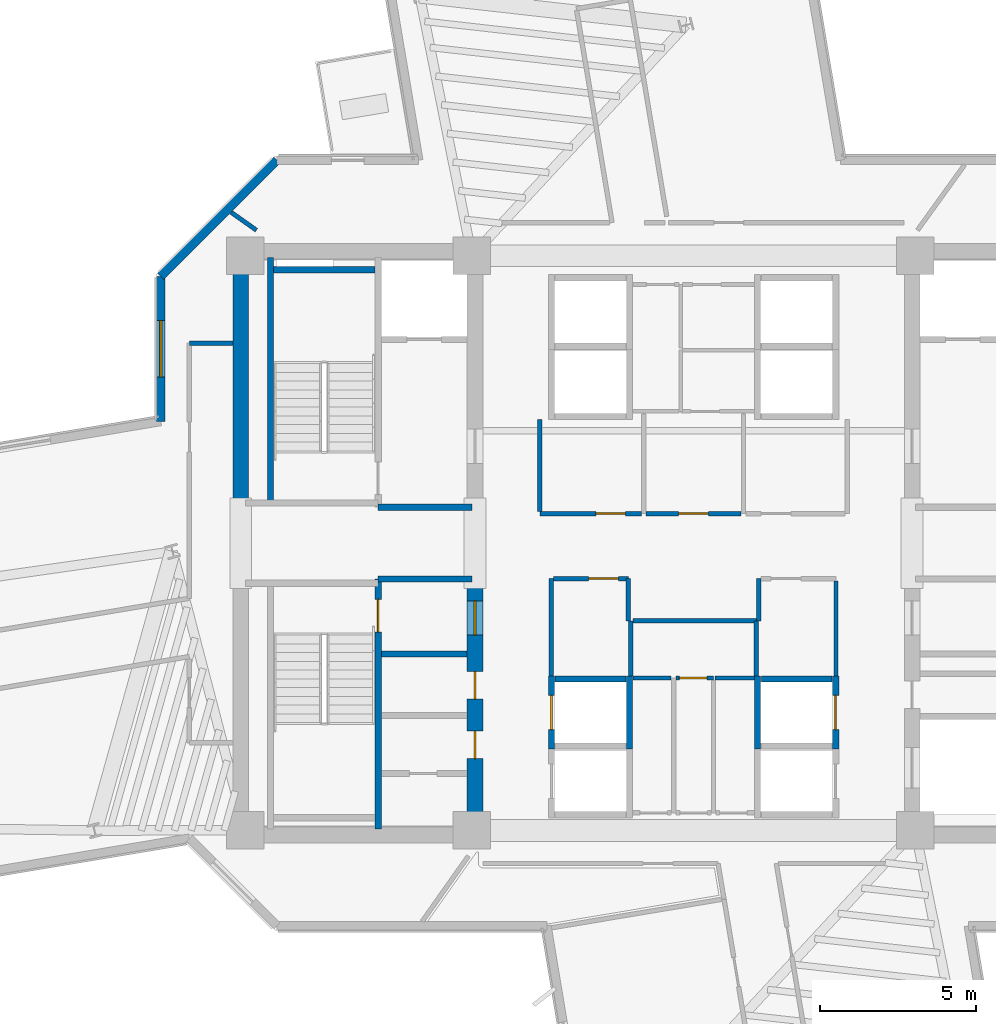
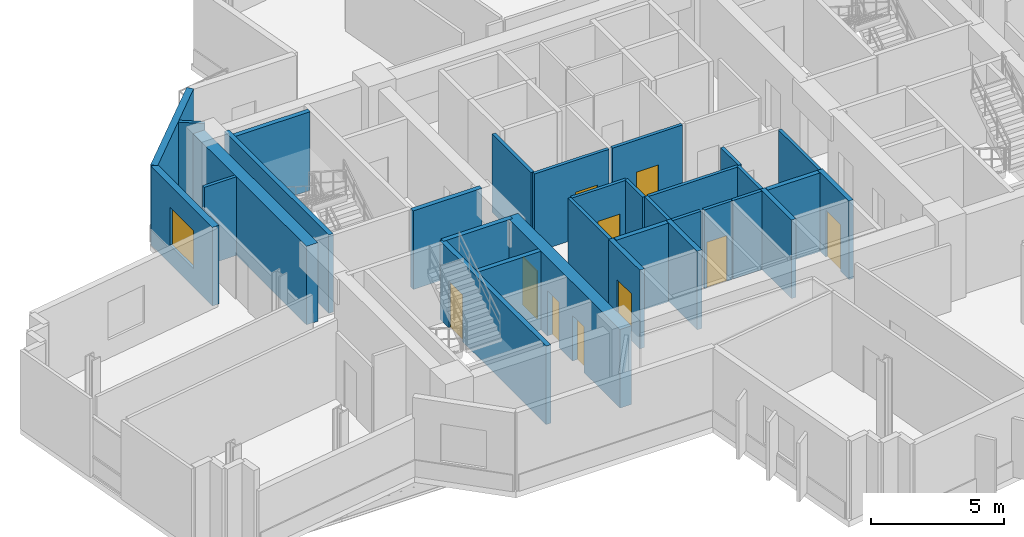
# One storey, part 8 of 15: 32 walls, 10 doors, 1 window, 11 openings.
"""IFC4 building model written with IfcOpenShell, lengths in metres."""

from ifc_helpers import new_model, si_unit, direction, frame, frame_2d, origin, place, context, subcontext, project, spatial, rectangle, extrude, source, transform, mapped, material, layer, layer_set, type_object, element, fill, save


model = new_model("IFC4")

# Units and contexts
model_context = context("Model", 3, precision=1e-05, world=origin(), true_north=direction((0.0, 1.0)))
body_context = subcontext(model_context, "Body", "Model", "MODEL_VIEW")
ifc_project = project(units=[si_unit("LENGTHUNIT", "METRE"), si_unit("AREAUNIT", "SQUARE_METRE"), si_unit("VOLUMEUNIT", "CUBIC_METRE"), si_unit("PLANEANGLEUNIT", "RADIAN"), si_unit("MASSUNIT", "GRAM", prefix="KILO")], contexts=[model_context])

# Site, building, storey
site_placement = place(None, origin())
site = spatial("IfcSite", under=ifc_project, at=site_placement, CompositionType="ELEMENT")
building_placement = place(site_placement, origin())
building = spatial("IfcBuilding", under=site, at=building_placement, Name="Zahravan Cultural Tower", CompositionType="ELEMENT")
storey_placement = place(building_placement, frame((0.0, 0.0, 139.5)))
storey = spatial("IfcBuildingStorey", under=building, at=storey_placement, Name="L31", CompositionType="ELEMENT", Elevation=139.5)

# Wall, openings, doors
ifc_material_1 = material(Name="Concrete C60/75", Category="concrete")
ifc_layer_1 = layer(ifc_material_1, 0.5)
ifc_layer_set_1 = layer_set([ifc_layer_1], Name="Concrete C60/75")
wall_type_1 = type_object("IfcWallType", Name="CW-SHEAR-500-C60", PredefinedType="SHEAR", material=ifc_layer_set_1)
wall_1_placement = place(storey_placement, frame((29.0, 17.39990234375, 0.0), z_axis=(0.0, 0.0, 1.0), x_axis=(0.0, 1.0, 0.0)))
wall_1 = element("IfcWall", 1, at=wall_1_placement, inside=storey, type_object=wall_type_1, Name="L31 Core Shear Wall CW-W-ES-L31", PredefinedType="SHEAR", context=body_context, shape_type="SweptSolid", body=[
    extrude(rectangle(XDim=8.550048828125, YDim=0.5, at=frame_2d((4.27490234375, 0.0))), origin(), (0.0, 0.0, 1.0), 3.6201171875),
])
opening_1_placement = place(wall_1_placement, frame((6.64990234375, 0.0, 0.0)))
opening_1 = element("IfcOpeningElement", 2, at=opening_1_placement, cuts=wall_1, Name="Opening D-L31-07", PredefinedType="OPENING", context=body_context, shape_type="SweptSolid", body=[
    extrude(rectangle(XDim=1.10009765625, YDim=2.199951171875, at=frame_2d((0.550048828125, 1.10009765625))), frame((0.0, 0.260009765625, 0.0), z_axis=(0.0, -1.0, 0.0), x_axis=(1.0, 0.0, 0.0)), (0.0, 0.0, 1.0), 0.52001953125),
])
opening_2_placement = place(wall_1_placement, frame((2.699951171875, 0.0, 0.0)))
opening_2 = element("IfcOpeningElement", 3, at=opening_2_placement, cuts=wall_1, Name="Opening D-L31-10", PredefinedType="OPENING", context=body_context, shape_type="SweptSolid", body=[
    extrude(rectangle(XDim=0.8798828125, YDim=2.10009765625, at=frame_2d((0.43994140625, 1.050048828125))), frame((0.0, 0.260009765625, 0.0), z_axis=(0.0, -1.0, 0.0), x_axis=(1.0, 0.0, 0.0)), (0.0, 0.0, 1.0), 0.52001953125),
])
opening_3_placement = place(wall_1_placement, frame((4.60009765625, 0.0, 0.0)))
opening_3 = element("IfcOpeningElement", 4, at=opening_3_placement, cuts=wall_1, Name="Opening D-L31-11", PredefinedType="OPENING", context=body_context, shape_type="SweptSolid", body=[
    extrude(rectangle(XDim=0.8798828125, YDim=2.10009765625, at=frame_2d((0.43994140625, 1.050048828125))), frame((0.0, 0.260009765625, 0.0), z_axis=(0.0, -1.0, 0.0), x_axis=(1.0, 0.0, 0.0)), (0.0, 0.0, 1.0), 0.52001953125),
])
ifc_material_2 = material(Name="Steel ASTM A572 Grade 50", Category="steel")
door_type_1 = type_object("IfcDoorType", Name="DR-LOBBY-1100", OperationType="NOTDEFINED", PredefinedType="DOOR", material=ifc_material_2)
shared_shape_1 = source(origin(), body_context, "Body", "SweptSolid", [
    extrude(rectangle(XDim=1.10009765625, YDim=2.199951171875, at=frame_2d((0.550048828125, 1.10009765625))), frame((0.0, 0.02490234375, 0.0), z_axis=(0.0, -1.0, 0.0), x_axis=(1.0, 0.0, 0.0)), (0.0, 0.0, 1.0), 0.050048828125),
])
door_1_placement = place(opening_1_placement, origin())
door_1 = element("IfcDoor", 5, at=door_1_placement, inside=storey, type_object=door_type_1, Name="L31 Door D-L31-07", OperationType="SINGLE_SWING_LEFT", OverallHeight=2.199951171875, OverallWidth=1.10009765625, PredefinedType="DOOR", context=body_context, shape_type="MappedRepresentation", body=[
    mapped(shared_shape_1, transform((0.0, 0.0, 0.0), x_axis=(1.0, 0.0, 0.0), y_axis=(0.0, 1.0, 0.0), z_axis=(0.0, 0.0, 1.0), scale=1.0)),
])
fill(opening_1, door_1)
door_type_2 = type_object("IfcDoorType", Name="DR-SVC-880", OperationType="NOTDEFINED", PredefinedType="DOOR", material=ifc_material_2)
shared_shape_2 = source(origin(), body_context, "Body", "SweptSolid", [
    extrude(rectangle(XDim=0.8798828125, YDim=2.10009765625, at=frame_2d((0.43994140625, 1.050048828125))), frame((0.0, 0.02490234375, 0.0), z_axis=(0.0, -1.0, 0.0), x_axis=(1.0, 0.0, 0.0)), (0.0, 0.0, 1.0), 0.050048828125),
])
door_2_placement = place(opening_2_placement, origin())
door_2 = element("IfcDoor", 6, at=door_2_placement, inside=storey, type_object=door_type_2, Name="L31 Door D-L31-10", OperationType="SINGLE_SWING_RIGHT", OverallHeight=2.10009765625, OverallWidth=0.8798828125, PredefinedType="DOOR", context=body_context, shape_type="MappedRepresentation", body=[
    mapped(shared_shape_2, transform((0.0, 0.0, 0.0), x_axis=(1.0, 0.0, 0.0), y_axis=(0.0, 1.0, 0.0), z_axis=(0.0, 0.0, 1.0), scale=1.0)),
])
fill(opening_2, door_2)
door_3_placement = place(opening_3_placement, origin())
door_3 = element("IfcDoor", 7, at=door_3_placement, inside=storey, type_object=door_type_2, Name="L31 Door D-L31-11", OperationType="SINGLE_SWING_LEFT", OverallHeight=2.10009765625, OverallWidth=0.8798828125, PredefinedType="DOOR", context=body_context, shape_type="MappedRepresentation", body=[
    mapped(shared_shape_2, transform((0.0, 0.0, 0.0), x_axis=(1.0, 0.0, 0.0), y_axis=(0.0, 1.0, 0.0), z_axis=(0.0, 0.0, 1.0), scale=1.0)),
])
fill(opening_3, door_3)

# Wall, opening, window
ifc_material_3 = material(Name="Precast concrete C40/50", Category="concrete")
ifc_layer_2 = layer(ifc_material_3, 0.280029296875)
ifc_layer_set_2 = layer_set([ifc_layer_2], Name="Precast concrete C40/50")
wall_type_2 = type_object("IfcWallType", Name="EW-TC-280", PredefinedType="SOLIDWALL", material=ifc_layer_set_2)
wall_2_placement = place(storey_placement, frame((18.93994140625, 30.897705078125, 0.0), z_axis=(0.0, 0.0, 1.0), x_axis=(0.0, 1.0, 0.0)))
wall_2 = element("IfcWall", 8, at=wall_2_placement, inside=storey, type_object=wall_type_2, Name="L31 Exterior Masonry Frame Wall 37", PredefinedType="SOLIDWALL", context=body_context, shape_type="SweptSolid", body=[
    extrude(rectangle(XDim=4.644287109375, YDim=0.280029296875, at=frame_2d((2.322265625, 0.0))), origin(), (0.0, 0.0, 1.0), 3.6201171875),
])
opening_4_placement = place(wall_2_placement, frame((1.422119140625, 0.0, 0.85009765625)))
opening_4 = element("IfcOpeningElement", 9, at=opening_4_placement, cuts=wall_2, Name="Opening WN-02", PredefinedType="OPENING", context=body_context, shape_type="SweptSolid", body=[
    extrude(rectangle(XDim=1.800048828125, YDim=1.75, at=frame_2d((0.89990234375, 0.875))), frame((0.0, 0.14990234375, 0.0), z_axis=(0.0, -1.0, 0.0), x_axis=(1.0, 0.0, 0.0)), (0.0, 0.0, 1.0), 0.300048828125),
])
ifc_material_4 = material(Name="Low-E solar-control double glazing", Category="glass")
window_type = type_object("IfcWindowType", Name="WN-REC-1800X1750", PartitioningType="DOUBLE_PANEL_VERTICAL", PredefinedType="WINDOW", material=ifc_material_4)
shared_shape_3 = source(origin(), body_context, "Body", "SweptSolid", [
    extrude(rectangle(XDim=1.800048828125, YDim=1.75, at=frame_2d((0.89990234375, 0.875))), frame((0.0, 0.030029296875, 0.0), z_axis=(0.0, -1.0, 0.0), x_axis=(1.0, 0.0, 0.0)), (0.0, 0.0, 1.0), 0.06005859375),
])
window_placement = place(opening_4_placement, origin())
window = element("IfcWindow", 10, at=window_placement, inside=storey, type_object=window_type, Name="L31 Recessed Solar Window 08", OverallHeight=1.75, OverallWidth=1.800048828125, PartitioningType="DOUBLE_PANEL_VERTICAL", PredefinedType="WINDOW", context=body_context, shape_type="MappedRepresentation", body=[
    mapped(shared_shape_3, transform((0.0, 0.0, 0.0), x_axis=(1.0, 0.0, 0.0), y_axis=(0.0, 1.0, 0.0), z_axis=(0.0, 0.0, 1.0), scale=1.0)),
])
fill(opening_4, window)

# Wall, opening, door
ifc_material_5 = material(Name="Gypsum plasterboard partition")
ifc_layer_3 = layer(ifc_material_5, 0.139892578125)
ifc_layer_set_3 = layer_set([ifc_layer_3], Name="Gypsum plasterboard partition")
wall_type_3 = type_object("IfcWallType", Name="W-PART-140", PredefinedType="PARTITIONING", material=ifc_layer_set_3)
wall_3_placement = place(storey_placement, frame((35.43505859375, 22.679931640625, 0.0), z_axis=(0.0, 0.0, 1.0), x_axis=(1.0, 0.0, 0.0)))
wall_3 = element("IfcWall", 11, at=wall_3_placement, inside=storey, type_object=wall_type_3, Name="L31 Interior Wall 063", PredefinedType="PARTITIONING", context=body_context, shape_type="SweptSolid", body=[
    extrude(rectangle(XDim=1.204833984375, YDim=0.139892578125, at=frame_2d((0.6025390625, 0.0))), origin(), (0.0, 0.0, 1.0), 3.6201171875),
])
opening_5_placement = place(wall_3_placement, frame((0.11376953125, 0.0, 0.0)))
opening_5 = element("IfcOpeningElement", 12, at=opening_5_placement, cuts=wall_3, Name="Opening D-L31-30", PredefinedType="OPENING", context=body_context, shape_type="SweptSolid", body=[
    extrude(rectangle(XDim=0.8798828125, YDim=2.10009765625, at=frame_2d((0.43994140625, 1.050048828125))), frame((0.0, 0.079833984375, 0.0), z_axis=(0.0, -1.0, 0.0), x_axis=(1.0, 0.0, 0.0)), (0.0, 0.0, 1.0), 0.159912109375),
])
ifc_material_6 = material(Name="Anodised bronze-aluminium mullion", Category="aluminium")
door_type_3 = type_object("IfcDoorType", Name="DR-ROOM-880", OperationType="NOTDEFINED", PredefinedType="DOOR", material=ifc_material_6)
door_4_placement = place(opening_5_placement, origin())
door_4 = element("IfcDoor", 13, at=door_4_placement, inside=storey, type_object=door_type_3, Name="L31 Door D-L31-30", OperationType="SINGLE_SWING_RIGHT", OverallHeight=2.10009765625, OverallWidth=0.8798828125, PredefinedType="DOOR", context=body_context, shape_type="MappedRepresentation", body=[
    mapped(shared_shape_2, transform((0.0, 0.0, 0.0), x_axis=(1.0, 0.0, 0.0), y_axis=(0.0, 1.0, 0.0), z_axis=(0.0, 0.0, 1.0), scale=1.0)),
])
fill(opening_5, door_4)

wall_4_placement = place(storey_placement, frame((31.514892578125, 25.860107421875, 0.0), z_axis=(0.0, 0.0, 1.0), x_axis=(1.0, 0.0, 0.0)))
wall_4 = element("IfcWall", 14, at=wall_4_placement, inside=storey, type_object=wall_type_3, Name="L31 Interior Wall 076", PredefinedType="PARTITIONING", context=body_context, shape_type="SweptSolid", body=[
    extrude(rectangle(XDim=2.39501953125, YDim=0.139892578125, at=frame_2d((1.197509765625, 0.0))), origin(), (0.0, 0.0, 1.0), 3.6201171875),
])
opening_6_placement = place(wall_4_placement, frame((1.127197265625, 0.0, 0.0)))
opening_6 = element("IfcOpeningElement", 15, at=opening_6_placement, cuts=wall_4, Name="Opening D-L31-13", PredefinedType="OPENING", context=body_context, shape_type="SweptSolid", body=[
    extrude(rectangle(XDim=0.949951171875, YDim=2.14990234375, at=frame_2d((0.47509765625, 1.074951171875))), frame((0.0, 0.079833984375, 0.0), z_axis=(0.0, -1.0, 0.0), x_axis=(1.0, 0.0, 0.0)), (0.0, 0.0, 1.0), 0.159912109375),
])
door_type_4 = type_object("IfcDoorType", Name="DR-ROOM-950", OperationType="NOTDEFINED", PredefinedType="DOOR", material=ifc_material_6)
shared_shape_4 = source(origin(), body_context, "Body", "SweptSolid", [
    extrude(rectangle(XDim=0.949951171875, YDim=2.14990234375, at=frame_2d((0.47509765625, 1.074951171875))), frame((0.0, 0.02490234375, 0.0), z_axis=(0.0, -1.0, 0.0), x_axis=(1.0, 0.0, 0.0)), (0.0, 0.0, 1.0), 0.050048828125),
])
door_5_placement = place(opening_6_placement, origin())
door_5 = element("IfcDoor", 16, at=door_5_placement, inside=storey, type_object=door_type_4, Name="L31 Door D-L31-13", OperationType="SINGLE_SWING_LEFT", OverallHeight=2.14990234375, OverallWidth=0.949951171875, PredefinedType="DOOR", context=body_context, shape_type="MappedRepresentation", body=[
    mapped(shared_shape_4, transform((0.0, 0.0, 0.0), x_axis=(1.0, 0.0, 0.0), y_axis=(0.0, 1.0, 0.0), z_axis=(0.0, 0.0, 1.0), scale=1.0)),
])
fill(opening_6, door_5)

wall_5_placement = place(storey_placement, frame((37.52490234375, 27.93994140625, 0.0), z_axis=(0.0, 0.0, 1.0), x_axis=(-1.0, 0.0, 0.0)))
wall_5 = element("IfcWall", 17, at=wall_5_placement, inside=storey, type_object=wall_type_3, Name="L31 Interior Wall 083", PredefinedType="PARTITIONING", context=body_context, shape_type="SweptSolid", body=[
    extrude(rectangle(XDim=3.0498046875, YDim=0.139892578125, at=frame_2d((1.52490234375, 0.0))), origin(), (0.0, 0.0, 1.0), 3.6201171875),
])
opening_7_placement = place(wall_5_placement, frame((1.050048828125, 0.0, 0.0)))
opening_7 = element("IfcOpeningElement", 18, at=opening_7_placement, cuts=wall_5, Name="Opening D-L31-18", PredefinedType="OPENING", context=body_context, shape_type="SweptSolid", body=[
    extrude(rectangle(XDim=0.949951171875, YDim=2.14990234375, at=frame_2d((0.47509765625, 1.074951171875))), frame((0.0, 0.079833984375, 0.0), z_axis=(0.0, -1.0, 0.0), x_axis=(1.0, 0.0, 0.0)), (0.0, 0.0, 1.0), 0.159912109375),
])
door_6_placement = place(opening_7_placement, origin())
door_6 = element("IfcDoor", 19, at=door_6_placement, inside=storey, type_object=door_type_4, Name="L31 Door D-L31-18", OperationType="SINGLE_SWING_RIGHT", OverallHeight=2.14990234375, OverallWidth=0.949951171875, PredefinedType="DOOR", context=body_context, shape_type="MappedRepresentation", body=[
    mapped(shared_shape_4, transform((0.0, 0.0, 0.0), x_axis=(1.0, 0.0, 0.0), y_axis=(0.0, 1.0, 0.0), z_axis=(0.0, 0.0, 1.0), scale=1.0)),
])
fill(opening_7, door_6)

wall_6_placement = place(storey_placement, frame((34.324951171875, 27.93994140625, 0.0), z_axis=(0.0, 0.0, 1.0), x_axis=(-1.0, 0.0, 0.0)))
wall_6 = element("IfcWall", 20, at=wall_6_placement, inside=storey, type_object=wall_type_3, Name="L31 Interior Wall 084", PredefinedType="PARTITIONING", context=body_context, shape_type="SweptSolid", body=[
    extrude(rectangle(XDim=3.244873046875, YDim=0.139892578125, at=frame_2d((1.62255859375, 0.0))), origin(), (0.0, 0.0, 1.0), 3.6201171875),
])
opening_8_placement = place(wall_6_placement, frame((0.5048828125, 0.0, 0.0)))
opening_8 = element("IfcOpeningElement", 21, at=opening_8_placement, cuts=wall_6, Name="Opening D-L31-17", PredefinedType="OPENING", context=body_context, shape_type="SweptSolid", body=[
    extrude(rectangle(XDim=0.949951171875, YDim=2.14990234375, at=frame_2d((0.47509765625, 1.074951171875))), frame((0.0, 0.079833984375, 0.0), z_axis=(0.0, -1.0, 0.0), x_axis=(1.0, 0.0, 0.0)), (0.0, 0.0, 1.0), 0.159912109375),
])
door_7_placement = place(opening_8_placement, origin())
door_7 = element("IfcDoor", 22, at=door_7_placement, inside=storey, type_object=door_type_4, Name="L31 Door D-L31-17", OperationType="SINGLE_SWING_LEFT", OverallHeight=2.14990234375, OverallWidth=0.949951171875, PredefinedType="DOOR", context=body_context, shape_type="MappedRepresentation", body=[
    mapped(shared_shape_4, transform((0.0, 0.0, 0.0), x_axis=(1.0, 0.0, 0.0), y_axis=(0.0, 1.0, 0.0), z_axis=(0.0, 0.0, 1.0), scale=1.0)),
])
fill(opening_8, door_7)

ifc_material_7 = material(Name="Concrete C45/55", Category="concrete")
ifc_layer_4 = layer(ifc_material_7, 0.199951171875)
ifc_layer_set_4 = layer_set([ifc_layer_4], Name="Concrete C45/55")
wall_type_4 = type_object("IfcWallType", Name="W-SHAFT-200", PredefinedType="SOLIDWALL", material=ifc_layer_set_4)
wall_7_placement = place(storey_placement, frame((25.89990234375, 17.85009765625, 0.0), z_axis=(0.0, 0.0, 1.0), x_axis=(0.0, 1.0, 0.0)))
wall_7 = element("IfcWall", 23, at=wall_7_placement, inside=storey, type_object=wall_type_4, Name="L31 Interior Wall 005", PredefinedType="SOLIDWALL", context=body_context, shape_type="SweptSolid", body=[
    extrude(rectangle(XDim=8.0, YDim=0.199951171875, at=frame_2d((4.0, 0.0))), origin(), (0.0, 0.0, 1.0), 3.6201171875),
])
opening_9_placement = place(wall_7_placement, frame((6.300048828125, 0.0, 0.0)))
opening_9 = element("IfcOpeningElement", 24, at=opening_9_placement, cuts=wall_7, Name="Opening D-L31-04", PredefinedType="OPENING", context=body_context, shape_type="SweptSolid", body=[
    extrude(rectangle(XDim=1.050048828125, YDim=2.14990234375, at=frame_2d((0.52490234375, 1.074951171875))), frame((0.0, 0.10986328125, 0.0), z_axis=(0.0, -1.0, 0.0), x_axis=(1.0, 0.0, 0.0)), (0.0, 0.0, 1.0), 0.219970703125),
])
door_type_5 = type_object("IfcDoorType", Name="DR-STAIR-1050", OperationType="NOTDEFINED", PredefinedType="DOOR", material=ifc_material_2)
shared_shape_5 = source(origin(), body_context, "Body", "SweptSolid", [
    extrude(rectangle(XDim=1.050048828125, YDim=2.14990234375, at=frame_2d((0.52490234375, 1.074951171875))), frame((0.0, 0.02490234375, 0.0), z_axis=(0.0, -1.0, 0.0), x_axis=(1.0, 0.0, 0.0)), (0.0, 0.0, 1.0), 0.050048828125),
])
door_8_placement = place(opening_9_placement, origin())
door_8 = element("IfcDoor", 25, at=door_8_placement, inside=storey, type_object=door_type_5, Name="L31 Door D-L31-04", OperationType="SINGLE_SWING_RIGHT", OverallHeight=2.14990234375, OverallWidth=1.050048828125, PredefinedType="DOOR", context=body_context, shape_type="MappedRepresentation", body=[
    mapped(shared_shape_5, transform((0.0, 0.0, 0.0), x_axis=(1.0, 0.0, 0.0), y_axis=(0.0, 1.0, 0.0), z_axis=(0.0, 0.0, 1.0), scale=1.0)),
])
fill(opening_9, door_8)

wall_8_placement = place(storey_placement, frame((31.449951171875, 20.39990234375, 0.0), z_axis=(0.0, 0.0, 1.0), x_axis=(0.0, 1.0, 0.0)))
wall_8 = element("IfcWall", 26, at=wall_8_placement, inside=storey, type_object=wall_type_4, Name="L31 Interior Wall 043", PredefinedType="SOLIDWALL", context=body_context, shape_type="SweptSolid", body=[
    extrude(rectangle(XDim=2.35009765625, YDim=0.199951171875, at=frame_2d((1.175048828125, 0.0))), origin(), (0.0, 0.0, 1.0), 3.6201171875),
])
opening_10_placement = place(wall_8_placement, frame((0.625, 0.0, 0.0)))
opening_10 = element("IfcOpeningElement", 27, at=opening_10_placement, cuts=wall_8, Name="Opening LD-L31-04", PredefinedType="OPENING", context=body_context, shape_type="SweptSolid", body=[
    extrude(rectangle(XDim=1.10009765625, YDim=2.14990234375, at=frame_2d((0.550048828125, 1.074951171875))), frame((0.0, 0.10986328125, 0.0), z_axis=(0.0, -1.0, 0.0), x_axis=(1.0, 0.0, 0.0)), (0.0, 0.0, 1.0), 0.219970703125),
])
door_type_6 = type_object("IfcDoorType", Name="DR-LIFT-1100", OperationType="DOUBLE_DOOR_SLIDING", PredefinedType="DOOR", material=ifc_material_2)
shared_shape_6 = source(origin(), body_context, "Body", "SweptSolid", [
    extrude(rectangle(XDim=1.10009765625, YDim=2.14990234375, at=frame_2d((0.550048828125, 1.074951171875))), frame((0.0, 0.02490234375, 0.0), z_axis=(0.0, -1.0, 0.0), x_axis=(1.0, 0.0, 0.0)), (0.0, 0.0, 1.0), 0.050048828125),
])
door_9_placement = place(opening_10_placement, origin())
door_9 = element("IfcDoor", 28, at=door_9_placement, inside=storey, type_object=door_type_6, Name="L31 Door LD-L31-04", OperationType="DOUBLE_DOOR_SLIDING", OverallHeight=2.14990234375, OverallWidth=1.10009765625, PredefinedType="DOOR", context=body_context, shape_type="MappedRepresentation", body=[
    mapped(shared_shape_6, transform((0.0, 0.0, 0.0), x_axis=(1.0, 0.0, 0.0), y_axis=(0.0, 1.0, 0.0), z_axis=(0.0, 0.0, 1.0), scale=1.0)),
])
fill(opening_10, door_9)

wall_9_placement = place(storey_placement, frame((40.550048828125, 20.39990234375, 0.0), z_axis=(0.0, 0.0, 1.0), x_axis=(0.0, 1.0, 0.0)))
wall_9 = element("IfcWall", 29, at=wall_9_placement, inside=storey, type_object=wall_type_4, Name="L31 Interior Wall 051", PredefinedType="SOLIDWALL", context=body_context, shape_type="SweptSolid", body=[
    extrude(rectangle(XDim=2.35009765625, YDim=0.199951171875, at=frame_2d((1.175048828125, 0.0))), origin(), (0.0, 0.0, 1.0), 3.6201171875),
])
opening_11_placement = place(wall_9_placement, frame((0.625, 0.0, 0.0)))
opening_11 = element("IfcOpeningElement", 30, at=opening_11_placement, cuts=wall_9, Name="Opening LD-L31-06", PredefinedType="OPENING", context=body_context, shape_type="SweptSolid", body=[
    extrude(rectangle(XDim=1.10009765625, YDim=2.14990234375, at=frame_2d((0.550048828125, 1.074951171875))), frame((0.0, 0.10986328125, 0.0), z_axis=(0.0, -1.0, 0.0), x_axis=(1.0, 0.0, 0.0)), (0.0, 0.0, 1.0), 0.219970703125),
])
door_10_placement = place(opening_11_placement, origin())
door_10 = element("IfcDoor", 31, at=door_10_placement, inside=storey, type_object=door_type_6, Name="L31 Door LD-L31-06", OperationType="DOUBLE_DOOR_SLIDING", OverallHeight=2.14990234375, OverallWidth=1.10009765625, PredefinedType="DOOR", context=body_context, shape_type="MappedRepresentation", body=[
    mapped(shared_shape_6, transform((0.0, 0.0, 0.0), x_axis=(1.0, 0.0, 0.0), y_axis=(0.0, 1.0, 0.0), z_axis=(0.0, 0.0, 1.0), scale=1.0)),
])
fill(opening_11, door_10)

# Walls
shared_shape_7 = source(origin(), body_context, "Body", "SweptSolid", [
    extrude(rectangle(XDim=8.550048828125, YDim=0.5, at=frame_2d((4.27490234375, 0.0))), origin(), (0.0, 0.0, 1.0), 3.6201171875),
])
wall_10_placement = place(storey_placement, frame((21.5, 28.050048828125, 0.0), z_axis=(0.0, 0.0, 1.0), x_axis=(0.0, 1.0, 0.0)))
element("IfcWall", 32, at=wall_10_placement, inside=storey, type_object=wall_type_1, Name="L31 Core Shear Wall CW-W-WN-L31", PredefinedType="SHEAR", context=body_context, shape_type="MappedRepresentation", body=[
    mapped(shared_shape_7, transform((0.0, 0.0, 0.0), x_axis=(1.0, 0.0, 0.0), y_axis=(0.0, 1.0, 0.0), z_axis=(0.0, 0.0, 1.0), scale=1.0)),
])
shared_shape_8 = source(origin(), body_context, "Body", "SweptSolid", [
    extrude(rectangle(XDim=5.258056640625, YDim=0.280029296875, at=frame_2d((2.62890625, 0.0))), origin(), (0.0, 0.0, 1.0), 3.6201171875),
])
wall_11_placement = place(storey_placement, frame((18.93994140625, 35.5419921875, 0.0), z_axis=(0.0, 0.0, 1.0), x_axis=(0.707106781187, 0.707106781187, 0.0)))
element("IfcWall", 33, at=wall_11_placement, inside=storey, type_object=wall_type_2, Name="L31 Exterior Masonry Frame Wall 38", PredefinedType="SOLIDWALL", context=body_context, shape_type="MappedRepresentation", body=[
    mapped(shared_shape_8, transform((0.0, 0.0, 0.0), x_axis=(1.0, 0.0, 0.0), y_axis=(0.0, 1.0, 0.0), z_axis=(0.0, 0.0, 1.0), scale=1.0)),
])
shared_shape_9 = source(origin(), body_context, "Body", "SweptSolid", [
    extrude(rectangle(XDim=7.869873046875, YDim=0.199951171875, at=frame_2d((3.93505859375, 0.0))), origin(), (0.0, 0.0, 1.0), 3.6201171875),
])
wall_12_placement = place(storey_placement, frame((22.449951171875, 28.280029296875, 0.0), z_axis=(0.0, 0.0, 1.0), x_axis=(0.0, 1.0, 0.0)))
element("IfcWall", 34, at=wall_12_placement, inside=storey, type_object=wall_type_4, Name="L31 Interior Wall 002", PredefinedType="SOLIDWALL", context=body_context, shape_type="MappedRepresentation", body=[
    mapped(shared_shape_9, transform((0.0, 0.0, 0.0), x_axis=(1.0, 0.0, 0.0), y_axis=(0.0, 1.0, 0.0), z_axis=(0.0, 0.0, 1.0), scale=1.0)),
])
shared_shape_10 = source(origin(), body_context, "Body", "SweptSolid", [
    extrude(rectangle(XDim=3.0, YDim=0.199951171875, at=frame_2d((1.5, 0.0))), origin(), (0.0, 0.0, 1.0), 3.6201171875),
])
for number, where, z_axis, x_axis, name in (
    (35, (25.89990234375, 25.85009765625, 0.0), (0.0, 0.0, 1.0), (1.0, 0.0, 0.0), "L31 Interior Wall 010"),
    (36, (25.89990234375, 28.14990234375, 0.0), (0.0, 0.0, 1.0), (1.0, 0.0, 0.0), "L31 Interior Wall 012"),
):
    element("IfcWall", number, at=place(storey_placement, frame(where, z_axis=z_axis, x_axis=x_axis)), inside=storey, type_object=wall_type_4, Name=name, PredefinedType="SOLIDWALL", context=body_context, shape_type="MappedRepresentation", body=[
        mapped(shared_shape_10, transform((0.0, 0.0, 0.0), x_axis=(1.0, 0.0, 0.0), y_axis=(0.0, 1.0, 0.0), z_axis=(0.0, 0.0, 1.0), scale=1.0)),
    ])
shared_shape_11 = source(origin(), body_context, "Body", "SweptSolid", [
    extrude(rectangle(XDim=3.25, YDim=0.199951171875, at=frame_2d((1.625, 0.0))), origin(), (0.0, 0.0, 1.0), 3.6201171875),
])
wall_13_placement = place(storey_placement, frame((22.550048828125, 35.75, 0.0), z_axis=(0.0, 0.0, 1.0), x_axis=(1.0, 0.0, 0.0)))
element("IfcWall", 37, at=wall_13_placement, inside=storey, type_object=wall_type_4, Name="L31 Interior Wall 017", PredefinedType="SOLIDWALL", context=body_context, shape_type="MappedRepresentation", body=[
    mapped(shared_shape_11, transform((0.0, 0.0, 0.0), x_axis=(1.0, 0.0, 0.0), y_axis=(0.0, 1.0, 0.0), z_axis=(0.0, 0.0, 1.0), scale=1.0)),
])
shared_shape_12 = source(origin(), body_context, "Body", "SweptSolid", [
    extrude(rectangle(XDim=2.75, YDim=0.199951171875, at=frame_2d((1.375, 0.0))), origin(), (0.0, 0.0, 1.0), 3.6201171875),
])
wall_14_placement = place(storey_placement, frame((26.0, 23.449951171875, 0.0), z_axis=(0.0, 0.0, 1.0), x_axis=(1.0, 0.0, 0.0)))
element("IfcWall", 38, at=wall_14_placement, inside=storey, type_object=wall_type_4, Name="L31 Interior Wall 023", PredefinedType="SOLIDWALL", context=body_context, shape_type="MappedRepresentation", body=[
    mapped(shared_shape_12, transform((0.0, 0.0, 0.0), x_axis=(1.0, 0.0, 0.0), y_axis=(0.0, 1.0, 0.0), z_axis=(0.0, 0.0, 1.0), scale=1.0)),
])
shared_shape_13 = source(origin(), body_context, "Body", "SweptSolid", [
    extrude(rectangle(XDim=2.260009765625, YDim=0.199951171875, at=frame_2d((1.1298828125, 0.0))), origin(), (0.0, 0.0, 1.0), 3.6201171875),
])
for number, where, z_axis, x_axis, name in (
    (39, (31.570068359375, 22.64990234375, 0.0), (0.0, 0.0, 1.0), (1.0, 0.0, 0.0), "L31 Interior Wall 046"),
    (40, (38.169921875, 22.64990234375, 0.0), (0.0, 0.0, 1.0), (1.0, 0.0, 0.0), "L31 Interior Wall 053"),
):
    element("IfcWall", number, at=place(storey_placement, frame(where, z_axis=z_axis, x_axis=x_axis)), inside=storey, type_object=wall_type_4, Name=name, PredefinedType="SOLIDWALL", context=body_context, shape_type="MappedRepresentation", body=[
        mapped(shared_shape_13, transform((0.0, 0.0, 0.0), x_axis=(1.0, 0.0, 0.0), y_axis=(0.0, 1.0, 0.0), z_axis=(0.0, 0.0, 1.0), scale=1.0)),
    ])
shared_shape_14 = source(origin(), body_context, "Body", "SweptSolid", [
    extrude(rectangle(XDim=2.35009765625, YDim=0.199951171875, at=frame_2d((1.175048828125, 0.0))), origin(), (0.0, 0.0, 1.0), 3.6201171875),
])
for number, where, z_axis, x_axis, name in (
    (41, (33.949951171875, 20.39990234375, 0.0), (0.0, 0.0, 1.0), (0.0, 1.0, 0.0), "L31 Interior Wall 044"),
    (42, (38.050048828125, 20.39990234375, 0.0), (0.0, 0.0, 1.0), (0.0, 1.0, 0.0), "L31 Interior Wall 050"),
):
    element("IfcWall", number, at=place(storey_placement, frame(where, z_axis=z_axis, x_axis=x_axis)), inside=storey, type_object=wall_type_4, Name=name, PredefinedType="SOLIDWALL", context=body_context, shape_type="MappedRepresentation", body=[
        mapped(shared_shape_14, transform((0.0, 0.0, 0.0), x_axis=(1.0, 0.0, 0.0), y_axis=(0.0, 1.0, 0.0), z_axis=(0.0, 0.0, 1.0), scale=1.0)),
    ])
shared_shape_15 = source(origin(), body_context, "Body", "SweptSolid", [
    extrude(rectangle(XDim=1.22998046875, YDim=0.139892578125, at=frame_2d((0.614990234375, 0.0))), origin(), (0.0, 0.0, 1.0), 3.6201171875),
])
wall_15_placement = place(storey_placement, frame((34.054931640625, 22.679931640625, 0.0), z_axis=(0.0, 0.0, 1.0), x_axis=(1.0, 0.0, 0.0)))
element("IfcWall", 43, at=wall_15_placement, inside=storey, type_object=wall_type_3, Name="L31 Interior Wall 066", PredefinedType="PARTITIONING", context=body_context, shape_type="MappedRepresentation", body=[
    mapped(shared_shape_15, transform((0.0, 0.0, 0.0), x_axis=(1.0, 0.0, 0.0), y_axis=(0.0, 1.0, 0.0), z_axis=(0.0, 0.0, 1.0), scale=1.0)),
])
shared_shape_16 = source(origin(), body_context, "Body", "SweptSolid", [
    extrude(rectangle(XDim=1.26513671875, YDim=0.139892578125, at=frame_2d((0.632568359375, 0.0))), origin(), (0.0, 0.0, 1.0), 3.6201171875),
])
wall_16_placement = place(storey_placement, frame((36.679931640625, 22.679931640625, 0.0), z_axis=(0.0, 0.0, 1.0), x_axis=(1.0, 0.0, 0.0)))
element("IfcWall", 44, at=wall_16_placement, inside=storey, type_object=wall_type_3, Name="L31 Interior Wall 068", PredefinedType="PARTITIONING", context=body_context, shape_type="MappedRepresentation", body=[
    mapped(shared_shape_16, transform((0.0, 0.0, 0.0), x_axis=(1.0, 0.0, 0.0), y_axis=(0.0, 1.0, 0.0), z_axis=(0.0, 0.0, 1.0), scale=1.0)),
])
shared_shape_17 = source(origin(), body_context, "Body", "SweptSolid", [
    extrude(rectangle(XDim=1.760009765625, YDim=0.139892578125, at=frame_2d((0.8798828125, 0.0))), origin(), (0.0, 0.0, 1.0), 3.6201171875),
])
for number, where, z_axis, x_axis, name in (
    (45, (33.989990234375, 22.75, 0.0), (0.0, 0.0, 1.0), (0.0, 1.0, 0.0), "L31 Interior Wall 072"),
    (46, (38.010009765625, 24.510009765625, 0.0), (0.0, 0.0, 1.0), (0.0, -1.0, 0.0), "L31 Interior Wall 074"),
):
    element("IfcWall", number, at=place(storey_placement, frame(where, z_axis=z_axis, x_axis=x_axis)), inside=storey, type_object=wall_type_3, Name=name, PredefinedType="PARTITIONING", context=body_context, shape_type="MappedRepresentation", body=[
        mapped(shared_shape_17, transform((0.0, 0.0, 0.0), x_axis=(1.0, 0.0, 0.0), y_axis=(0.0, 1.0, 0.0), z_axis=(0.0, 0.0, 1.0), scale=1.0)),
    ])
shared_shape_18 = source(origin(), body_context, "Body", "SweptSolid", [
    extrude(rectangle(XDim=3.945068359375, YDim=0.139892578125, at=frame_2d((1.97265625, 0.0))), origin(), (0.0, 0.0, 1.0), 3.6201171875),
])
wall_17_placement = place(storey_placement, frame((34.06494140625, 24.510009765625, 0.0), z_axis=(0.0, 0.0, 1.0), x_axis=(1.0, 0.0, 0.0)))
element("IfcWall", 47, at=wall_17_placement, inside=storey, type_object=wall_type_3, Name="L31 Interior Wall 073", PredefinedType="PARTITIONING", context=body_context, shape_type="MappedRepresentation", body=[
    mapped(shared_shape_18, transform((0.0, 0.0, 0.0), x_axis=(1.0, 0.0, 0.0), y_axis=(0.0, 1.0, 0.0), z_axis=(0.0, 0.0, 1.0), scale=1.0)),
])
shared_shape_19 = source(origin(), body_context, "Body", "SweptSolid", [
    extrude(rectangle(XDim=3.110107421875, YDim=0.139892578125, at=frame_2d((1.55517578125, 0.0))), origin(), (0.0, 0.0, 1.0), 3.6201171875),
])
wall_18_placement = place(storey_placement, frame((31.43994140625, 22.75, 0.0), z_axis=(0.0, 0.0, 1.0), x_axis=(0.0, 1.0, 0.0)))
element("IfcWall", 48, at=wall_18_placement, inside=storey, type_object=wall_type_3, Name="L31 Interior Wall 075", PredefinedType="PARTITIONING", context=body_context, shape_type="MappedRepresentation", body=[
    mapped(shared_shape_19, transform((0.0, 0.0, 0.0), x_axis=(1.0, 0.0, 0.0), y_axis=(0.0, 1.0, 0.0), z_axis=(0.0, 0.0, 1.0), scale=1.0)),
])
shared_shape_20 = source(origin(), body_context, "Body", "SweptSolid", [
    extrude(rectangle(XDim=1.35009765625, YDim=0.139892578125, at=frame_2d((0.675048828125, 0.0))), origin(), (0.0, 0.0, 1.0), 3.6201171875),
])
for number, where, z_axis, x_axis, name in (
    (49, (33.909912109375, 25.860107421875, 0.0), (0.0, 0.0, 1.0), (0.0, -1.0, 0.0), "L31 Interior Wall 077"),
    (50, (38.090087890625, 24.510009765625, 0.0), (0.0, 0.0, 1.0), (0.0, 1.0, 0.0), "L31 Interior Wall 078"),
):
    element("IfcWall", number, at=place(storey_placement, frame(where, z_axis=z_axis, x_axis=x_axis)), inside=storey, type_object=wall_type_3, Name=name, PredefinedType="PARTITIONING", context=body_context, shape_type="MappedRepresentation", body=[
        mapped(shared_shape_20, transform((0.0, 0.0, 0.0), x_axis=(1.0, 0.0, 0.0), y_axis=(0.0, 1.0, 0.0), z_axis=(0.0, 0.0, 1.0), scale=1.0)),
    ])
shared_shape_21 = source(origin(), body_context, "Body", "SweptSolid", [
    extrude(rectangle(XDim=3.034912109375, YDim=0.139892578125, at=frame_2d((1.517578125, 0.0))), origin(), (0.0, 0.0, 1.0), 3.6201171875),
])
wall_19_placement = place(storey_placement, frame((40.56005859375, 25.784912109375, 0.0), z_axis=(0.0, 0.0, 1.0), x_axis=(0.0, -1.0, 0.0)))
element("IfcWall", 51, at=wall_19_placement, inside=storey, type_object=wall_type_3, Name="L31 Interior Wall 080", PredefinedType="PARTITIONING", context=body_context, shape_type="MappedRepresentation", body=[
    mapped(shared_shape_21, transform((0.0, 0.0, 0.0), x_axis=(1.0, 0.0, 0.0), y_axis=(0.0, 1.0, 0.0), z_axis=(0.0, 0.0, 1.0), scale=1.0)),
])
shared_shape_22 = source(origin(), body_context, "Body", "SweptSolid", [
    extrude(rectangle(XDim=2.93505859375, YDim=0.139892578125, at=frame_2d((1.467529296875, 0.0))), origin(), (0.0, 0.0, 1.0), 3.6201171875),
])
wall_20_placement = place(storey_placement, frame((31.080078125, 28.014892578125, 0.0), z_axis=(0.0, 0.0, 1.0), x_axis=(0.0, 1.0, 0.0)))
element("IfcWall", 52, at=wall_20_placement, inside=storey, type_object=wall_type_3, Name="L31 Interior Wall 085", PredefinedType="PARTITIONING", context=body_context, shape_type="MappedRepresentation", body=[
    mapped(shared_shape_22, transform((0.0, 0.0, 0.0), x_axis=(1.0, 0.0, 0.0), y_axis=(0.0, 1.0, 0.0), z_axis=(0.0, 0.0, 1.0), scale=1.0)),
])
shared_shape_23 = source(origin(), body_context, "Body", "SweptSolid", [
    extrude(rectangle(XDim=0.98779296875, YDim=0.139892578125, at=frame_2d((0.493896484375, 0.0))), origin(), (0.0, 0.0, 1.0), 3.6201171875),
])
wall_21_placement = place(storey_placement, frame((21.193359375, 37.59033203125, 0.0), z_axis=(0.0, 0.0, 1.0), x_axis=(0.81652929337, -0.577304004029, 0.0)))
element("IfcWall", 53, at=wall_21_placement, inside=storey, type_object=wall_type_3, Name="L31 Interior Wall 096", PredefinedType="PARTITIONING", context=body_context, shape_type="MappedRepresentation", body=[
    mapped(shared_shape_23, transform((0.0, 0.0, 0.0), x_axis=(1.0, 0.0, 0.0), y_axis=(0.0, 1.0, 0.0), z_axis=(0.0, 0.0, 1.0), scale=1.0)),
])
shared_shape_24 = source(origin(), body_context, "Body", "SweptSolid", [
    extrude(rectangle(XDim=1.391357421875, YDim=0.139892578125, at=frame_2d((0.69580078125, 0.0))), origin(), (0.0, 0.0, 1.0), 3.6201171875),
])
wall_22_placement = place(storey_placement, frame((21.2451171875, 33.39990234375, 0.0), z_axis=(0.0, 0.0, 1.0), x_axis=(-0.999999938421, -0.00035093874, 0.0)))
element("IfcWall", 54, at=wall_22_placement, inside=storey, type_object=wall_type_3, Name="L31 Interior Wall 097", PredefinedType="PARTITIONING", context=body_context, shape_type="MappedRepresentation", body=[
    mapped(shared_shape_24, transform((0.0, 0.0, 0.0), x_axis=(1.0, 0.0, 0.0), y_axis=(0.0, 1.0, 0.0), z_axis=(0.0, 0.0, 1.0), scale=1.0)),
])

save(model, "model.ifc")
